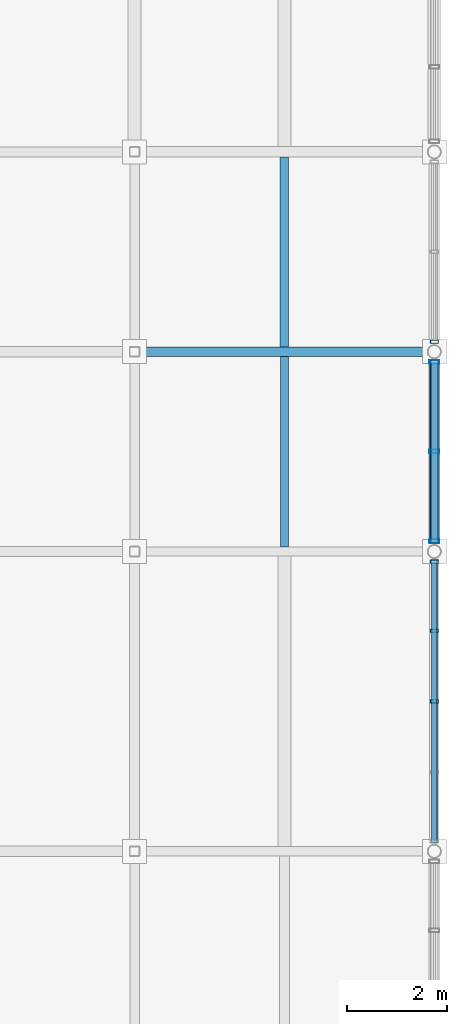
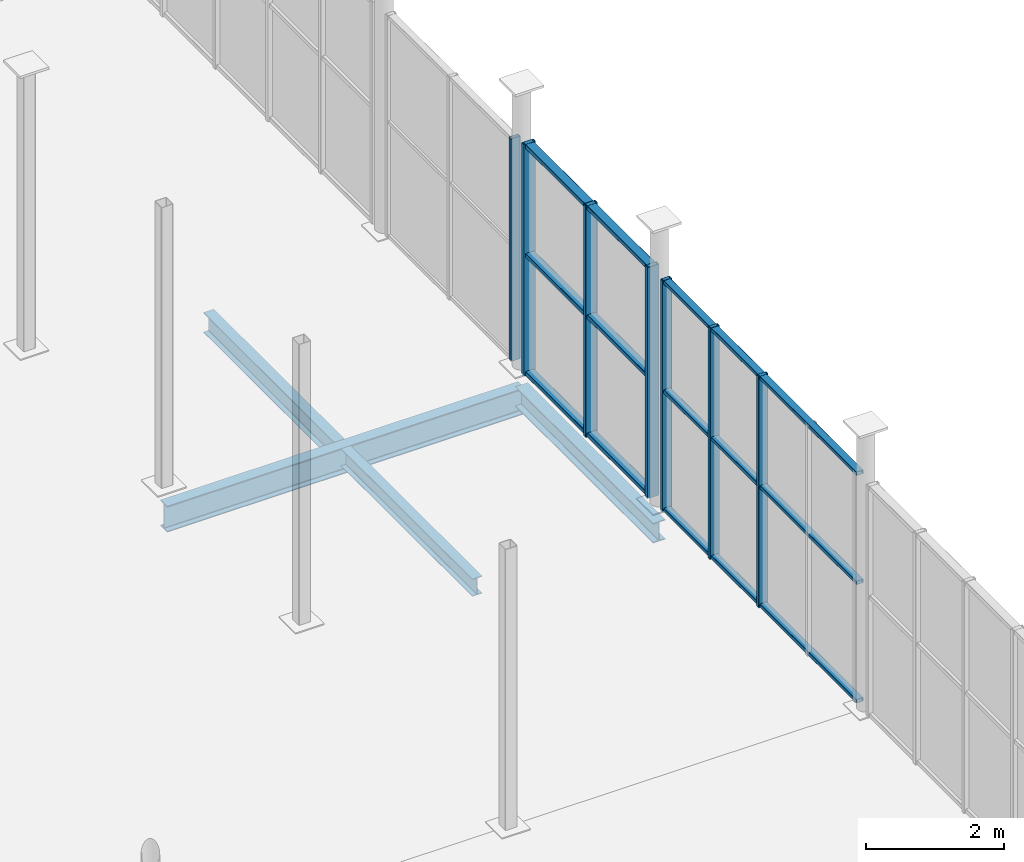
# One storey, part 17 of 27: 13 members, 4 beams, 3 elements without a shape of their own.
"""IFC4 building model written with IfcOpenShell, lengths in metres."""

from ifc_helpers import new_model, si_unit, direction, frame, origin, origin_2d, place, context, subcontext, project, spatial, hollow_rectangle, i_section, extrude, material, material_profile, profile_set, type_object, element, aggregate, save


model = new_model("IFC4")

# Units and contexts
model_context = context("Model", 3, precision=1e-05, world=origin(), true_north=direction((0.0, 1.0)))
body_context = subcontext(model_context, "Body", "Model", "MODEL_VIEW")
ifc_project = project(units=[si_unit("LENGTHUNIT", "METRE"), si_unit("AREAUNIT", "SQUARE_METRE"), si_unit("VOLUMEUNIT", "CUBIC_METRE"), si_unit("PLANEANGLEUNIT", "RADIAN"), si_unit("MASSUNIT", "GRAM", prefix="KILO")], contexts=[model_context])

# Site, building, storey
site_placement = place(None, origin())
site = spatial("IfcSite", under=ifc_project, at=site_placement, CompositionType="ELEMENT")
building_placement = place(site_placement, origin())
building = spatial("IfcBuilding", under=site, at=building_placement, Name="Verrall Gate Interchange", CompositionType="ELEMENT")
storey_placement = place(building_placement, frame((0.0, 0.0, 23.60009765625)))
storey = spatial("IfcBuildingStorey", under=building, at=storey_placement, Name="L06", CompositionType="ELEMENT", Elevation=23.60009765625)

# Beams
ifc_material_1 = material(Name="Structural Steel CSA G40.21 350W", Category="steel")
ifc_material_profile_1 = material_profile(ifc_material_1, i_section(OverallWidth=0.19189453125, OverallDepth=0.462890625, WebThickness=0.010498046875, FlangeThickness=0.017578125, FilletRadius=0.012939453125, at=origin_2d()), Name="W460x89")
ifc_profile_set_1 = profile_set([ifc_material_profile_1], Name="Structural Steel CSA G40.21 350W")
beam_type_1 = type_object("IfcBeamType", Name="B-11 Structural Beam W460x89", PredefinedType="BEAM", material=ifc_profile_set_1)
beam_1_placement = place(storey_placement, frame((30.0, 44.0, -0.5615234375), z_axis=(1.0, 0.0, 0.0), x_axis=(0.0, 1.0, 0.0)))
element("IfcBeam", 1, at=beam_1_placement, inside=storey, type_object=beam_type_1, Name="L06 Girder BM-L06-3096 (B-11)", PredefinedType="BEAM", context=body_context, shape_type="SweptSolid", body=[
    extrude(i_section(OverallWidth=0.19189453125, OverallDepth=0.462890625, WebThickness=0.010498046875, FlangeThickness=0.017578125, FilletRadius=0.012939453125, at=origin_2d()), origin(), (0.0, 0.0, 1.0), 6.0),
])
ifc_material_2 = material(Name="Structural Steel CSA G40.21 350W", Category="steel")
ifc_material_profile_2 = material_profile(ifc_material_2, i_section(OverallWidth=0.205078125, OverallDepth=0.35400390625, WebThickness=0.009521484375, FlangeThickness=0.016845703125, FilletRadius=0.012939453125, at=origin_2d()), Name="W360x79")
ifc_profile_set_2 = profile_set([ifc_material_profile_2], Name="Structural Steel CSA G40.21 350W")
beam_type_2 = type_object("IfcBeamType", Name="B-14 Structural Beam W360x79", PredefinedType="BEAM", material=ifc_profile_set_2)
beam_2_placement = place(storey_placement, frame((36.0, 40.0, -0.507080078125), z_axis=(0.0, 1.0, 0.0), x_axis=(-1.0, 0.0, 0.0)))
element("IfcBeam", 2, at=beam_2_placement, inside=storey, type_object=beam_type_2, Name="L06 Girder BM-L06-3180 (B-14)", PredefinedType="BEAM", context=body_context, shape_type="SweptSolid", body=[
    extrude(i_section(OverallWidth=0.205078125, OverallDepth=0.35400390625, WebThickness=0.009521484375, FlangeThickness=0.016845703125, FilletRadius=0.012939453125, at=origin_2d()), origin(), (0.0, 0.0, 1.0), 4.0),
])

# Curtain wall, members
ifc_material_3 = material(Name="Thermally Broken Anodized Aluminium Curtain Wall Framing", Category="aluminium")
curtain_wall_type_1 = type_object("IfcCurtainWallType", Name="CW-45 Unitized Curtain Wall 5698x4100", PredefinedType="NOTDEFINED", material=ifc_material_3)
curtain_wall_1_placement = place(storey_placement, origin())
curtain_wall_1 = element("IfcCurtainWall", 3, at=curtain_wall_1_placement, inside=storey, type_object=curtain_wall_type_1, Name="L06 Unitized Curtain Wall CW-L06-148", PredefinedType="NOTDEFINED")
ifc_material_4 = material(Name="Thermally Broken Anodized Aluminium Curtain Wall Framing", Category="aluminium")
ifc_material_profile_3 = material_profile(ifc_material_4, hollow_rectangle(XDim=0.06494140625, YDim=0.159912109375, WallThickness=0.00390625, InnerFilletRadius=0.00390625, OuterFilletRadius=0.008056640625, at=origin_2d()), Name="CWM160x65x4")
ifc_profile_set_3 = profile_set([ifc_material_profile_3], Name="Thermally Broken Anodized Aluminium Curtain Wall Framing")
member_type_1 = type_object("IfcMemberType", Name="CM-01 Curtain Mullion CWM160x65x4", PredefinedType="MULLION", material=ifc_profile_set_3)
member_1_placement = place(storey_placement, frame((36.0, 37.0, 0.0), z_axis=(0.0, 0.0, 1.0), x_axis=(0.0, 1.0, 0.0)))
member_1 = element("IfcMember", 4, at=member_1_placement, type_object=member_type_1, Name="CW-L06-148 Mullion 3", PredefinedType="MULLION", context=body_context, shape_type="SweptSolid", body=[
    extrude(hollow_rectangle(XDim=0.06494140625, YDim=0.159912109375, WallThickness=0.00390625, InnerFilletRadius=0.00390625, OuterFilletRadius=0.008056640625, at=origin_2d()), origin(), (0.0, 0.0, 1.0), 4.099853515625),
])
member_2_placement = place(storey_placement, frame((36.0, 38.415771484375, 0.0), z_axis=(0.0, 0.0, 1.0), x_axis=(0.0, 1.0, 0.0)))
member_2 = element("IfcMember", 5, at=member_2_placement, type_object=member_type_1, Name="CW-L06-148 Mullion 4", PredefinedType="MULLION", context=body_context, shape_type="SweptSolid", body=[
    extrude(hollow_rectangle(XDim=0.06494140625, YDim=0.159912109375, WallThickness=0.00390625, InnerFilletRadius=0.00390625, OuterFilletRadius=0.008056640625, at=origin_2d()), origin(), (0.0, 0.0, 1.0), 4.099853515625),
])
member_3_placement = place(storey_placement, frame((36.0, 39.798828125, 0.0), z_axis=(0.0, 0.0, 1.0), x_axis=(0.0, 1.0, 0.0)))
member_3 = element("IfcMember", 6, at=member_3_placement, type_object=member_type_1, Name="CW-L06-148 Mullion 5", PredefinedType="MULLION", context=body_context, shape_type="SweptSolid", body=[
    extrude(hollow_rectangle(XDim=0.06494140625, YDim=0.159912109375, WallThickness=0.00390625, InnerFilletRadius=0.00390625, OuterFilletRadius=0.008056640625, at=origin_2d()), origin(), (0.0, 0.0, 1.0), 4.099853515625),
])

# Curtain wall, member
ifc_material_5 = material(Name="Thermally Broken Anodized Aluminium Curtain Wall Framing", Category="aluminium")
curtain_wall_type_2 = type_object("IfcCurtainWallType", Name="CW-48 Unitized Curtain Wall 3663x3950", PredefinedType="NOTDEFINED", material=ifc_material_5)
curtain_wall_2_placement = place(storey_placement, origin())
curtain_wall_2 = element("IfcCurtainWall", 7, at=curtain_wall_2_placement, inside=storey, type_object=curtain_wall_type_2, Name="L06 Unitized Curtain Wall CW-L06-150", PredefinedType="NOTDEFINED")
member_4_placement = place(storey_placement, frame((36.0, 44.201171875, 0.0), z_axis=(0.0, 0.0, 1.0), x_axis=(0.0, 1.0, 0.0)))
member_4 = element("IfcMember", 8, at=member_4_placement, type_object=member_type_1, Name="CW-L06-150 Mullion 1", PredefinedType="MULLION", context=body_context, shape_type="SweptSolid", body=[
    extrude(hollow_rectangle(XDim=0.06494140625, YDim=0.159912109375, WallThickness=0.00390625, InnerFilletRadius=0.00390625, OuterFilletRadius=0.008056640625, at=origin_2d()), origin(), (0.0, 0.0, 1.0), 3.949951171875),
])
aggregate(curtain_wall_2, [member_4])

# Curtain wall, members
ifc_material_6 = material(Name="Thermally Broken Anodized Aluminium Curtain Wall Framing", Category="aluminium")
curtain_wall_type_3 = type_object("IfcCurtainWallType", Name="CW-47 Unitized Curtain Wall 3663x4100", PredefinedType="NOTDEFINED", material=ifc_material_6)
curtain_wall_3_placement = place(storey_placement, origin())
curtain_wall_3 = element("IfcCurtainWall", 9, at=curtain_wall_3_placement, inside=storey, type_object=curtain_wall_type_3, Name="L06 Unitized Curtain Wall CW-L06-149", PredefinedType="NOTDEFINED")
ifc_material_7 = material(Name="Thermally Broken Anodized Aluminium Curtain Wall Framing", Category="aluminium")
ifc_material_profile_4 = material_profile(ifc_material_7, hollow_rectangle(XDim=0.074951171875, YDim=0.199951171875, WallThickness=0.0048828125, InnerFilletRadius=0.0048828125, OuterFilletRadius=0.010009765625, at=origin_2d()), Name="CWM200x75x5")
ifc_profile_set_4 = profile_set([ifc_material_profile_4], Name="Thermally Broken Anodized Aluminium Curtain Wall Framing")
member_type_2 = type_object("IfcMemberType", Name="CM-02 Curtain Mullion CWM200x75x5", PredefinedType="MULLION", material=ifc_profile_set_4)
member_5_placement = place(storey_placement, frame((36.0, 40.2060546875, 0.0), z_axis=(0.0, 0.0, 1.0), x_axis=(0.0, 1.0, 0.0)))
member_5 = element("IfcMember", 10, at=member_5_placement, type_object=member_type_2, Name="CW-L06-149 Mullion 1", PredefinedType="MULLION", context=body_context, shape_type="SweptSolid", body=[
    extrude(hollow_rectangle(XDim=0.074951171875, YDim=0.199951171875, WallThickness=0.0048828125, InnerFilletRadius=0.0048828125, OuterFilletRadius=0.010009765625, at=origin_2d()), origin(), (0.0, 0.0, 1.0), 4.099853515625),
])
member_6_placement = place(storey_placement, frame((36.0, 42.0, 0.0), z_axis=(0.0, 0.0, 1.0), x_axis=(0.0, 1.0, 0.0)))
member_6 = element("IfcMember", 11, at=member_6_placement, type_object=member_type_2, Name="CW-L06-149 Mullion 2", PredefinedType="MULLION", context=body_context, shape_type="SweptSolid", body=[
    extrude(hollow_rectangle(XDim=0.074951171875, YDim=0.199951171875, WallThickness=0.0048828125, InnerFilletRadius=0.0048828125, OuterFilletRadius=0.010009765625, at=origin_2d()), origin(), (0.0, 0.0, 1.0), 4.099853515625),
])
member_7_placement = place(storey_placement, frame((36.0, 43.7939453125, 0.0), z_axis=(0.0, 0.0, 1.0), x_axis=(0.0, 1.0, 0.0)))
member_7 = element("IfcMember", 12, at=member_7_placement, type_object=member_type_2, Name="CW-L06-149 Mullion 3", PredefinedType="MULLION", context=body_context, shape_type="SweptSolid", body=[
    extrude(hollow_rectangle(XDim=0.074951171875, YDim=0.199951171875, WallThickness=0.0048828125, InnerFilletRadius=0.0048828125, OuterFilletRadius=0.010009765625, at=origin_2d()), origin(), (0.0, 0.0, 1.0), 4.099853515625),
])

# Member
ifc_material_8 = material(Name="Thermally Broken Anodized Aluminium Curtain Wall Framing", Category="aluminium")
ifc_material_profile_5 = material_profile(ifc_material_8, hollow_rectangle(XDim=0.1201171875, YDim=0.06494140625, WallThickness=0.00390625, InnerFilletRadius=0.00390625, OuterFilletRadius=0.008056640625, at=origin_2d()), Name="CWT120x65x4")
ifc_profile_set_5 = profile_set([ifc_material_profile_5], Name="Thermally Broken Anodized Aluminium Curtain Wall Framing")
member_type_3 = type_object("IfcMemberType", Name="CT-01 Curtain Transom CWT120x65x4", PredefinedType="USERDEFINED", material=ifc_profile_set_5)
member_8_placement = place(storey_placement, frame((36.0, 34.168701171875, 0.032470703125), z_axis=(0.0, 1.0, 0.0), x_axis=(-1.0, 0.0, 0.0)))
member_8 = element("IfcMember", 13, at=member_8_placement, type_object=member_type_3, Name="CW-L06-148 Transom 1", ObjectType="TRANSOM", PredefinedType="USERDEFINED", context=body_context, shape_type="SweptSolid", body=[
    extrude(hollow_rectangle(XDim=0.1201171875, YDim=0.06494140625, WallThickness=0.00390625, InnerFilletRadius=0.00390625, OuterFilletRadius=0.008056640625, at=origin_2d()), origin(), (0.0, 0.0, 1.0), 5.66259765625),
])

member_9_placement = place(storey_placement, frame((36.0, 34.168701171875, 2.1318359375), z_axis=(0.0, 1.0, 0.0), x_axis=(-1.0, 0.0, 0.0)))
member_9 = element("IfcMember", 14, at=member_9_placement, type_object=member_type_3, Name="CW-L06-148 Transom 2", ObjectType="TRANSOM", PredefinedType="USERDEFINED", context=body_context, shape_type="SweptSolid", body=[
    extrude(hollow_rectangle(XDim=0.1201171875, YDim=0.06494140625, WallThickness=0.00390625, InnerFilletRadius=0.00390625, OuterFilletRadius=0.008056640625, at=origin_2d()), origin(), (0.0, 0.0, 1.0), 5.66259765625),
])

member_10_placement = place(storey_placement, frame((36.0, 34.168701171875, 4.0673828125), z_axis=(0.0, 1.0, 0.0), x_axis=(-1.0, 0.0, 0.0)))
member_10 = element("IfcMember", 15, at=member_10_placement, type_object=member_type_3, Name="CW-L06-148 Transom 3", ObjectType="TRANSOM", PredefinedType="USERDEFINED", context=body_context, shape_type="SweptSolid", body=[
    extrude(hollow_rectangle(XDim=0.1201171875, YDim=0.06494140625, WallThickness=0.00390625, InnerFilletRadius=0.00390625, OuterFilletRadius=0.008056640625, at=origin_2d()), origin(), (0.0, 0.0, 1.0), 5.66259765625),
])

aggregate(curtain_wall_1, [member_1, member_2, member_3, member_8, member_9, member_10])

ifc_material_9 = material(Name="Thermally Broken Anodized Aluminium Curtain Wall Framing", Category="aluminium")
ifc_material_profile_6 = material_profile(ifc_material_9, hollow_rectangle(XDim=0.14990234375, YDim=0.074951171875, WallThickness=0.00439453125, InnerFilletRadius=0.00439453125, OuterFilletRadius=0.009033203125, at=origin_2d()), Name="CWT150x75x4.5")
ifc_profile_set_6 = profile_set([ifc_material_profile_6], Name="Thermally Broken Anodized Aluminium Curtain Wall Framing")
member_type_4 = type_object("IfcMemberType", Name="CT-02 Curtain Transom CWT150x75x4.5", PredefinedType="USERDEFINED", material=ifc_profile_set_6)
member_11_placement = place(storey_placement, frame((36.0, 40.168701171875, 0.037353515625), z_axis=(0.0, 1.0, 0.0), x_axis=(-1.0, 0.0, 0.0)))
member_11 = element("IfcMember", 16, at=member_11_placement, type_object=member_type_4, Name="CW-L06-149 Transom 1", ObjectType="TRANSOM", PredefinedType="USERDEFINED", context=body_context, shape_type="SweptSolid", body=[
    extrude(hollow_rectangle(XDim=0.14990234375, YDim=0.074951171875, WallThickness=0.00439453125, InnerFilletRadius=0.00439453125, OuterFilletRadius=0.009033203125, at=origin_2d()), origin(), (0.0, 0.0, 1.0), 3.66259765625),
])

member_12_placement = place(storey_placement, frame((36.0, 40.168701171875, 2.1318359375), z_axis=(0.0, 1.0, 0.0), x_axis=(-1.0, 0.0, 0.0)))
member_12 = element("IfcMember", 17, at=member_12_placement, type_object=member_type_4, Name="CW-L06-149 Transom 2", ObjectType="TRANSOM", PredefinedType="USERDEFINED", context=body_context, shape_type="SweptSolid", body=[
    extrude(hollow_rectangle(XDim=0.14990234375, YDim=0.074951171875, WallThickness=0.00439453125, InnerFilletRadius=0.00439453125, OuterFilletRadius=0.009033203125, at=origin_2d()), origin(), (0.0, 0.0, 1.0), 3.66259765625),
])

member_13_placement = place(storey_placement, frame((36.0, 40.168701171875, 4.0625), z_axis=(0.0, 1.0, 0.0), x_axis=(-1.0, 0.0, 0.0)))
member_13 = element("IfcMember", 18, at=member_13_placement, type_object=member_type_4, Name="CW-L06-149 Transom 3", ObjectType="TRANSOM", PredefinedType="USERDEFINED", context=body_context, shape_type="SweptSolid", body=[
    extrude(hollow_rectangle(XDim=0.14990234375, YDim=0.074951171875, WallThickness=0.00439453125, InnerFilletRadius=0.00439453125, OuterFilletRadius=0.009033203125, at=origin_2d()), origin(), (0.0, 0.0, 1.0), 3.66259765625),
])

aggregate(curtain_wall_3, [member_5, member_6, member_7, member_11, member_12, member_13])

# Beams
ifc_material_10 = material(Name="Structural Steel CSA G40.21 350W", Category="steel")
ifc_material_profile_7 = material_profile(ifc_material_10, i_section(OverallWidth=0.172119140625, OverallDepth=0.35791015625, WebThickness=0.0078125, FlangeThickness=0.01318359375, FilletRadius=0.010986328125, at=origin_2d()), Name="W360x57")
ifc_profile_set_7 = profile_set([ifc_material_profile_7], Name="Structural Steel CSA G40.21 350W")
beam_type_3 = type_object("IfcBeamType", Name="J-01 Floor Joist W360x57", PredefinedType="JOIST", material=ifc_profile_set_7)
beam_3_placement = place(storey_placement, frame((33.0, 44.095947265625, -0.509033203125), z_axis=(0.0, 1.0, 0.0), x_axis=(-1.0, 0.0, 0.0)))
element("IfcBeam", 19, at=beam_3_placement, inside=storey, type_object=beam_type_3, Name="L06 Secondary Floor Joist JST-L06-3215", PredefinedType="JOIST", context=body_context, shape_type="SweptSolid", body=[
    extrude(i_section(OverallWidth=0.172119140625, OverallDepth=0.35791015625, WebThickness=0.0078125, FlangeThickness=0.01318359375, FilletRadius=0.010986328125, at=origin_2d()), origin(), (0.0, 0.0, 1.0), 3.798583984375),
])
ifc_material_11 = material(Name="Structural Steel CSA G40.21 350W", Category="steel")
ifc_material_profile_8 = material_profile(ifc_material_11, i_section(OverallWidth=0.1650390625, OverallDepth=0.31005859375, WebThickness=0.005859375, FlangeThickness=0.009765625, FilletRadius=0.010009765625, at=origin_2d()), Name="W310x39")
ifc_profile_set_8 = profile_set([ifc_material_profile_8], Name="Structural Steel CSA G40.21 350W")
beam_type_4 = type_object("IfcBeamType", Name="J-04 Floor Joist W310x39", PredefinedType="JOIST", material=ifc_profile_set_8)
beam_4_placement = place(storey_placement, frame((33.0, 40.089599609375, -0.485107421875), z_axis=(0.0, 1.0, 0.0), x_axis=(-1.0, 0.0, 0.0)))
element("IfcBeam", 20, at=beam_4_placement, inside=storey, type_object=beam_type_4, Name="L06 Secondary Floor Joist JST-L06-3210", PredefinedType="JOIST", context=body_context, shape_type="SweptSolid", body=[
    extrude(i_section(OverallWidth=0.1650390625, OverallDepth=0.31005859375, WebThickness=0.005859375, FlangeThickness=0.009765625, FilletRadius=0.010009765625, at=origin_2d()), origin(), (0.0, 0.0, 1.0), 3.814453125),
])

save(model, "model.ifc")
